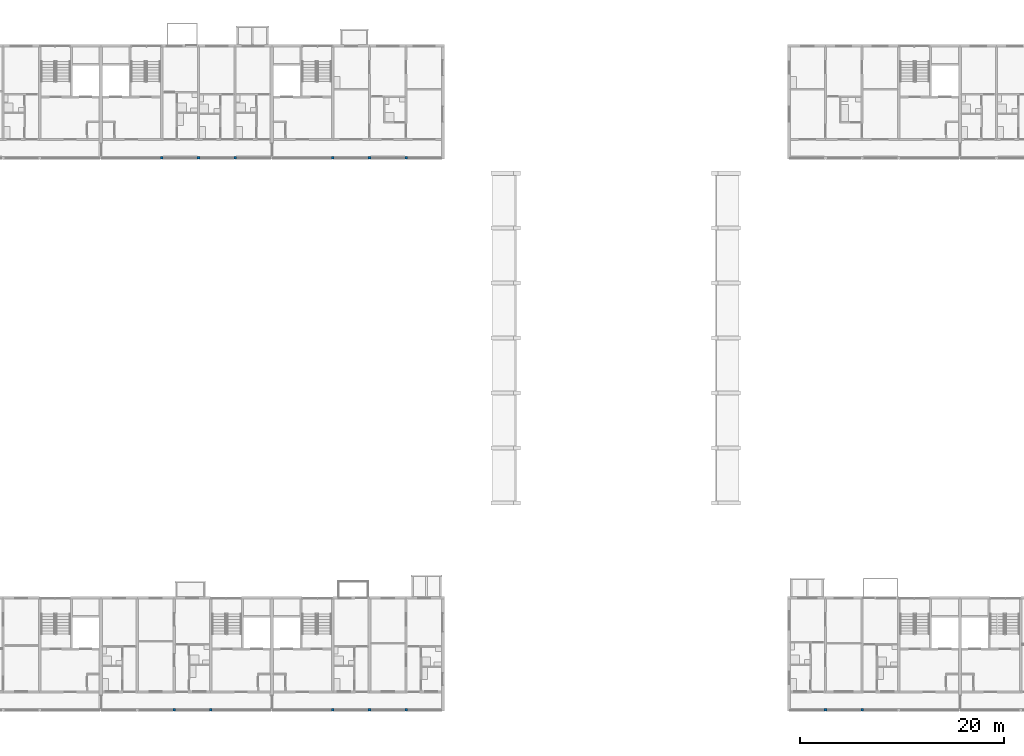
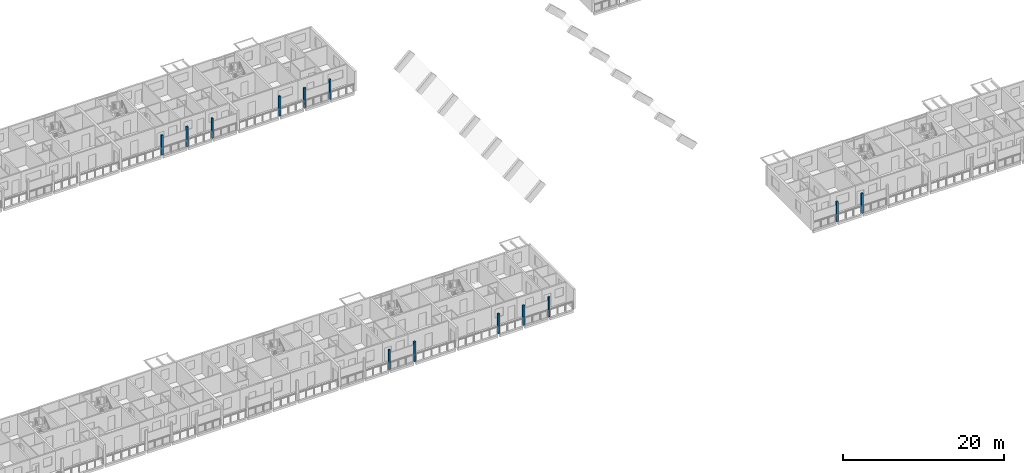
# One storey, part 2 of 98: 13 columns.
"""IFC4 building model written with IfcOpenShell, lengths in metres."""

from ifc_helpers import new_model, si_unit, direction, frame, origin, origin_2d, place, context, subcontext, project, spatial, rectangle, extrude, material, material_profile, profile_set, type_object, element, save


model = new_model("IFC4")

# Units and contexts
model_context = context("Model", 3, precision=1e-05, world=origin(), true_north=direction((0.0, 1.0)))
body_context = subcontext(model_context, "Body", "Model", "MODEL_VIEW")
ifc_project = project(units=[si_unit("LENGTHUNIT", "METRE"), si_unit("AREAUNIT", "SQUARE_METRE"), si_unit("VOLUMEUNIT", "CUBIC_METRE"), si_unit("PLANEANGLEUNIT", "RADIAN"), si_unit("MASSUNIT", "GRAM", prefix="KILO")], contexts=[model_context])

# Site, building, storey
site_placement = place(None, origin())
site = spatial("IfcSite", under=ifc_project, at=site_placement, CompositionType="ELEMENT")
building_placement = place(site_placement, origin())
building = spatial("IfcBuilding", under=site, at=building_placement, Name="Ridgestep Commons", CompositionType="ELEMENT")
storey_placement = place(building_placement, frame((0.0, 0.0, 12.0)))
storey = spatial("IfcBuildingStorey", under=building, at=storey_placement, Name="L04", CompositionType="ELEMENT", Elevation=12.0)

# Columns
ifc_material = material(Name="Precast concrete C40/50", Category="concrete")
ifc_material_profile = material_profile(ifc_material, rectangle(XDim=0.25, YDim=0.25, at=origin_2d()), Name="PC 250x250")
ifc_profile_set = profile_set([ifc_material_profile], Name="Precast concrete C40/50")
column_type = type_object("IfcColumnType", Name="Loggia column 250 x 250", PredefinedType="COLUMN", material=ifc_profile_set)
for number, where, z_axis, x_axis, name in (
    (1, (86.39990234375, 11.875, 0.0), (0.0, 0.0, 1.0), (1.0, 0.0, 0.0), "Loggia column A L04"),
    (2, (90.0, 11.875, 0.0), (0.0, 0.0, 1.0), (1.0, 0.0, 0.0), "Loggia column A L04"),
    (3, (102.0, 11.875, 0.0), (0.0, 0.0, 1.0), (1.0, 0.0, 0.0), "Loggia column A L04"),
    (4, (105.60009765625, 11.875, 0.0), (0.0, 0.0, 1.0), (1.0, 0.0, 0.0), "Loggia column A L04"),
    (5, (109.199951171875, 11.875, 0.0), (0.0, 0.0, 1.0), (1.0, 0.0, 0.0), "Loggia column A L04"),
    (6, (85.199951171875, 66.125, 0.0), (0.0, 0.0, 1.0), (1.0, 0.0, 0.0), "Loggia column B L04"),
    (7, (88.800048828125, 66.125, 0.0), (0.0, 0.0, 1.0), (1.0, 0.0, 0.0), "Loggia column B L04"),
    (8, (92.39990234375, 66.125, 0.0), (0.0, 0.0, 1.0), (1.0, 0.0, 0.0), "Loggia column B L04"),
    (9, (102.0, 66.125, 0.0), (0.0, 0.0, 1.0), (1.0, 0.0, 0.0), "Loggia column B L04"),
    (10, (105.60009765625, 66.125, 0.0), (0.0, 0.0, 1.0), (1.0, 0.0, 0.0), "Loggia column B L04"),
    (11, (109.199951171875, 66.125, 0.0), (0.0, 0.0, 1.0), (1.0, 0.0, 0.0), "Loggia column B L04"),
    (12, (150.39990234375, 11.875, 0.0), (0.0, 0.0, 1.0), (1.0, 0.0, 0.0), "Loggia column D L04"),
    (13, (154.0, 11.875, 0.0), (0.0, 0.0, 1.0), (1.0, 0.0, 0.0), "Loggia column D L04"),
):
    element("IfcColumn", number, at=place(storey_placement, frame(where, z_axis=z_axis, x_axis=x_axis)), inside=storey, type_object=column_type, Name=name, PredefinedType="COLUMN", context=body_context, shape_type="SweptSolid", body=[
        extrude(rectangle(XDim=0.25, YDim=0.25, at=origin_2d()), origin(), (0.0, 0.0, 1.0), 3.0),
    ])

save(model, "model.ifc")
